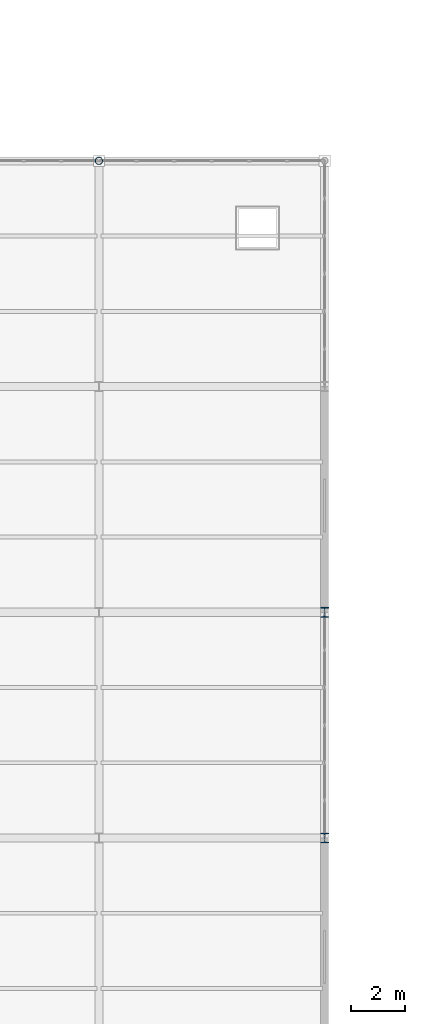
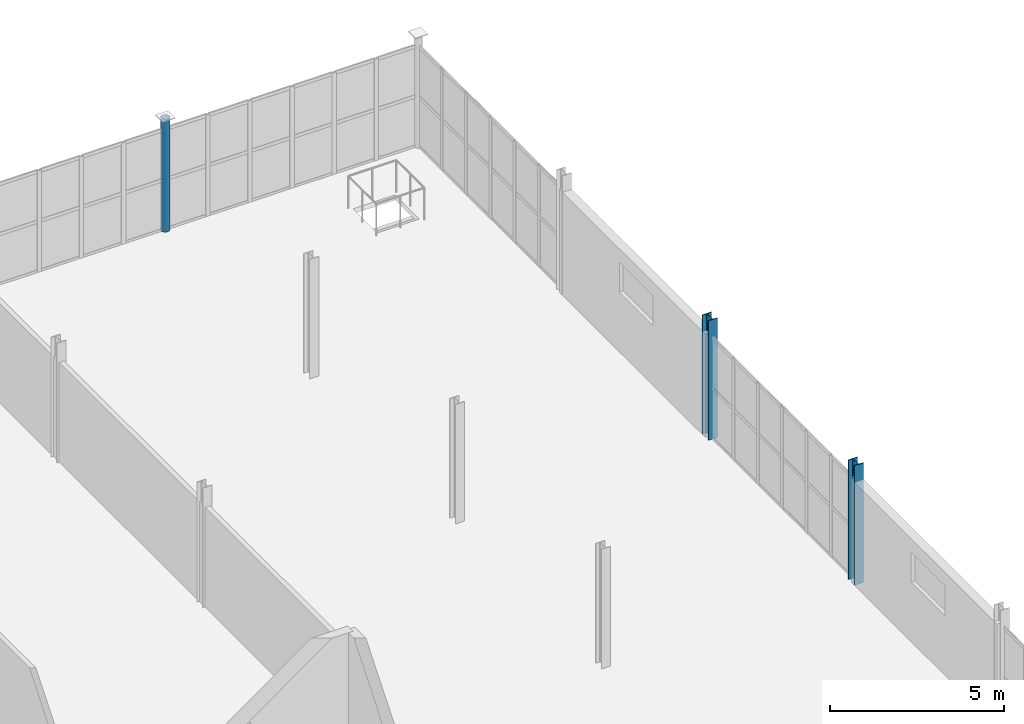
# One storey, part 10 of 163: 3 columns.
"""IFC4 building model written with IfcOpenShell, lengths in metres."""

from ifc_helpers import new_model, si_unit, direction, frame, origin, origin_2d, place, context, subcontext, project, spatial, hollow_circle, i_section, extrude, material, material_profile, profile_set, type_object, element, save


model = new_model("IFC4")

# Units and contexts
model_context = context("Model", 3, precision=1e-05, world=origin(), true_north=direction((0.0, 1.0)))
body_context = subcontext(model_context, "Body", "Model", "MODEL_VIEW")
ifc_project = project(units=[si_unit("LENGTHUNIT", "METRE"), si_unit("AREAUNIT", "SQUARE_METRE"), si_unit("VOLUMEUNIT", "CUBIC_METRE"), si_unit("PLANEANGLEUNIT", "RADIAN"), si_unit("MASSUNIT", "GRAM", prefix="KILO")], contexts=[model_context])

# Site, building, storey
site_placement = place(None, origin())
site = spatial("IfcSite", under=ifc_project, at=site_placement, CompositionType="ELEMENT")
building_placement = place(site_placement, origin())
building = spatial("IfcBuilding", under=site, at=building_placement, Name="Qalvenar Corner Mobility Hub", CompositionType="ELEMENT")
storey_placement = place(building_placement, frame((0.0, 0.0, 4.800048828125)))
storey = spatial("IfcBuildingStorey", under=building, at=storey_placement, Name="L01", CompositionType="ELEMENT", Elevation=4.800048828125)

# Columns
ifc_material = material(Name="Steel S355", Category="steel")
ifc_material_profile_1 = material_profile(ifc_material, hollow_circle(Radius=0.136474609375, WallThickness=0.0087890625, at=origin_2d()), Name="CHS273x8.8")
ifc_profile_set_1 = profile_set([ifc_material_profile_1], Name="Steel S355")
column_type_1 = type_object("IfcColumnType", Name="COL-CHS273", PredefinedType="COLUMN", material=ifc_profile_set_1)
column_placement = place(storey_placement, frame((25.199951171875, 92.39990234375, 0.0), z_axis=(0.0, 0.0, 1.0), x_axis=(1.0, 0.0, 0.0)))
element("IfcColumn", 1, at=column_placement, inside=storey, type_object=column_type_1, Name="Steel Column L01-G4-11", PredefinedType="COLUMN", context=body_context, shape_type="SweptSolid", body=[
    extrude(hollow_circle(Radius=0.136474609375, WallThickness=0.0087890625, at=origin_2d()), origin(), (0.0, 0.0, 1.0), 3.9580078125),
])
ifc_material_profile_2 = material_profile(ifc_material, i_section(OverallWidth=0.300048828125, OverallDepth=0.360107421875, WebThickness=0.012451171875, FlangeThickness=0.0224609375, FilletRadius=0.027099609375, at=origin_2d()), Name="HEB360")
ifc_profile_set_2 = profile_set([ifc_material_profile_2], Name="Steel S355")
column_type_2 = type_object("IfcColumnType", Name="COL-HEB360", PredefinedType="COLUMN", material=ifc_profile_set_2)
for number, where, z_axis, x_axis, name in (
    (2, (33.60009765625, 67.199951171875, 0.0), (0.0, 0.0, 1.0), (1.0, 0.0, 0.0), "Steel Column L01-G5-8"),
    (3, (33.60009765625, 75.60009765625, 0.0), (0.0, 0.0, 1.0), (1.0, 0.0, 0.0), "Steel Column L01-G5-9"),
):
    element("IfcColumn", number, at=place(storey_placement, frame(where, z_axis=z_axis, x_axis=x_axis)), inside=storey, type_object=column_type_2, Name=name, PredefinedType="COLUMN", context=body_context, shape_type="SweptSolid", body=[
        extrude(i_section(OverallWidth=0.300048828125, OverallDepth=0.360107421875, WebThickness=0.012451171875, FlangeThickness=0.0224609375, FilletRadius=0.027099609375, at=origin_2d()), origin(), (0.0, 0.0, 1.0), 4.199951171875),
    ])

save(model, "model.ifc")
